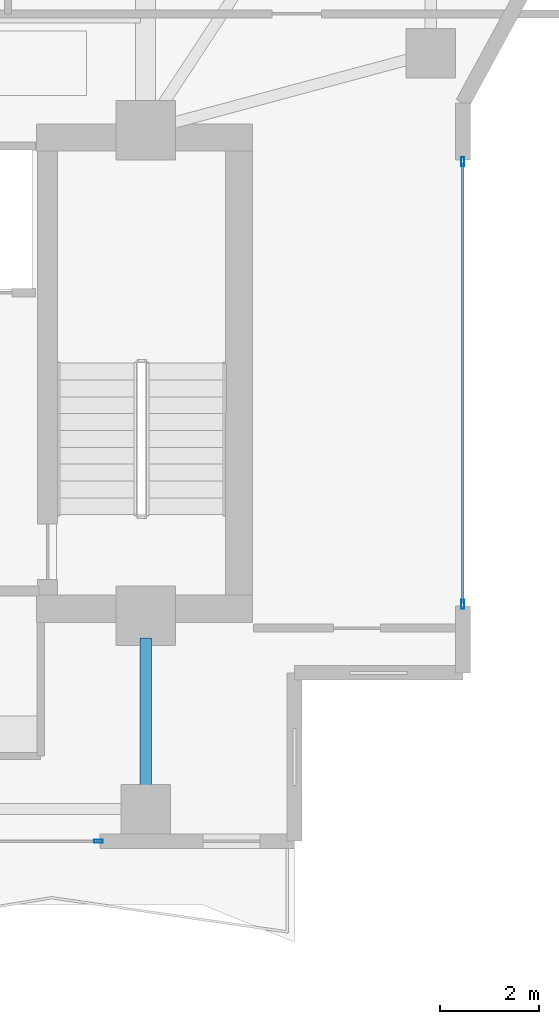
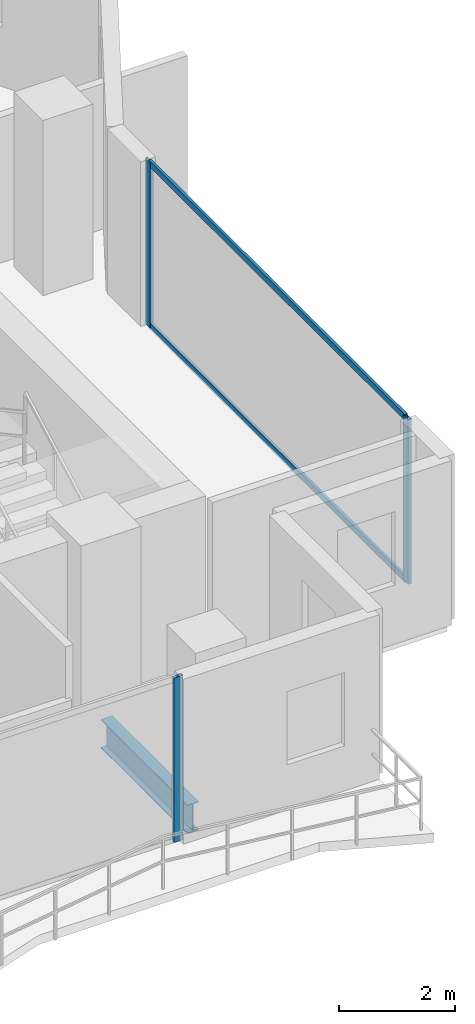
# One storey, part 8 of 23: 5 members, 1 beam, 2 elements without a shape of their own.
"""IFC4 building model written with IfcOpenShell, lengths in metres."""

from ifc_helpers import new_model, si_unit, direction, frame, origin, origin_2d, place, context, subcontext, project, spatial, hollow_rectangle, i_section, extrude, material, layer, layer_set, material_profile, profile_set, type_object, element, aggregate, save


model = new_model("IFC4")

# Units and contexts
model_context = context("Model", 3, precision=1e-05, world=origin(), true_north=direction((0.0, 1.0)))
body_context = subcontext(model_context, "Body", "Model", "MODEL_VIEW")
ifc_project = project(units=[si_unit("LENGTHUNIT", "METRE"), si_unit("AREAUNIT", "SQUARE_METRE"), si_unit("VOLUMEUNIT", "CUBIC_METRE"), si_unit("PLANEANGLEUNIT", "RADIAN"), si_unit("MASSUNIT", "GRAM", prefix="KILO")], contexts=[model_context])

# Site, building, storey
site_placement = place(None, origin())
site = spatial("IfcSite", under=ifc_project, at=site_placement, CompositionType="ELEMENT")
building_placement = place(site_placement, origin())
building = spatial("IfcBuilding", under=site, at=building_placement, Name="Zuhayl Quay Hotel", CompositionType="ELEMENT")
storey_placement = place(building_placement, frame((0.0, 0.0, 261.85009765625)))
storey = spatial("IfcBuildingStorey", under=building, at=storey_placement, Name="L66", CompositionType="ELEMENT", Elevation=261.85009765625)

# Beam
ifc_material_1 = material(Name="Steel ASTM A992 Grade 50", Category="steel")
ifc_material_profile_1 = material_profile(ifc_material_1, i_section(OverallWidth=0.22802734375, OverallDepth=0.60693359375, WebThickness=0.01123046875, FlangeThickness=0.017333984375, at=origin_2d()), Name="W24X76")
ifc_profile_set_1 = profile_set([ifc_material_profile_1], Name="Steel ASTM A992 Grade 50")
beam_type = type_object("IfcBeamType", Name="BM_B3_W24X76", PredefinedType="BEAM", material=ifc_profile_set_1)
beam_placement = place(storey_placement, frame((13.800048828125, 1.110107421875, -0.523681640625), z_axis=(0.0, 1.0, 0.0), x_axis=(-1.0, 0.0, 0.0)))
element("IfcBeam", 1, at=beam_placement, inside=storey, type_object=beam_type, Name="L66 Floor Beam FG_S_L66_4", PredefinedType="BEAM", context=body_context, shape_type="SweptSolid", body=[
    extrude(i_section(OverallWidth=0.22802734375, OverallDepth=0.60693359375, WebThickness=0.01123046875, FlangeThickness=0.017333984375, at=origin_2d()), origin(), (0.0, 0.0, 1.0), 2.989990234375),
])

# Curtain wall, members
ifc_material_2 = material(Name="Anodised Aluminium 6063-T6", Category="aluminium")
ifc_layer = layer(ifc_material_2, 0.169921875, Name="Anodised Aluminium 6063-T6", Category="aluminium")
ifc_layer_set = layer_set([ifc_layer], Name="Anodised Aluminium 6063-T6")
curtain_wall_type = type_object("IfcCurtainWallType", Name="CW_SYS_Z4", PredefinedType="USERDEFINED", material=ifc_layer_set)
curtain_wall_1_placement = place(storey_placement, origin())
curtain_wall_1 = element("IfcCurtainWall", 2, at=curtain_wall_1_placement, inside=storey, type_object=curtain_wall_type, Name="L66 Curtain Wall ENV_L66_E14_CW1", ObjectType="UNITISED CURTAIN WALL", PredefinedType="USERDEFINED")
ifc_material_3 = material(Name="Black-anodised aluminium 6063-T6", Category="aluminium")
ifc_material_profile_2 = material_profile(ifc_material_3, hollow_rectangle(XDim=0.06494140625, YDim=0.179931640625, WallThickness=0.00341796875, at=origin_2d()), Name="ALU180X65")
ifc_profile_set_2 = profile_set([ifc_material_profile_2], Name="Black-anodised aluminium 6063-T6")
member_type_1 = type_object("IfcMemberType", Name="MB_CW_MUL_180", PredefinedType="MULLION", material=ifc_profile_set_2)
member_1_placement = place(storey_placement, frame((20.199951171875, 13.717529296875, 0.0), z_axis=(0.0, 0.0, 1.0), x_axis=(1.0, 0.0, 0.0)))
member_1 = element("IfcMember", 3, at=member_1_placement, type_object=member_type_1, Name="CW-Z4 mullion 1", PredefinedType="MULLION", context=body_context, shape_type="SweptSolid", body=[
    extrude(hollow_rectangle(XDim=0.06494140625, YDim=0.179931640625, WallThickness=0.00341796875, at=origin_2d()), origin(), (0.0, 0.0, 1.0), 3.47998046875),
])
member_2_placement = place(storey_placement, frame((20.199951171875, 4.782470703125, 0.0), z_axis=(0.0, 0.0, 1.0), x_axis=(1.0, 0.0, 0.0)))
member_2 = element("IfcMember", 4, at=member_2_placement, type_object=member_type_1, Name="CW-Z4 mullion 2", PredefinedType="MULLION", context=body_context, shape_type="SweptSolid", body=[
    extrude(hollow_rectangle(XDim=0.06494140625, YDim=0.179931640625, WallThickness=0.00341796875, at=origin_2d()), origin(), (0.0, 0.0, 1.0), 3.47998046875),
])

# Curtain wall, member
curtain_wall_2_placement = place(storey_placement, origin())
curtain_wall_2 = element("IfcCurtainWall", 5, at=curtain_wall_2_placement, inside=storey, type_object=curtain_wall_type, Name="L66 Curtain Wall ENV_L66_S_CW1", ObjectType="UNITISED CURTAIN WALL", PredefinedType="USERDEFINED")
member_3_placement = place(storey_placement, frame((12.847412109375, 0.0, 0.0), z_axis=(0.0, 0.0, 1.0), x_axis=(0.0, -1.0, 0.0)))
member_3 = element("IfcMember", 6, at=member_3_placement, type_object=member_type_1, Name="CW-Z4 mullion 1", PredefinedType="MULLION", context=body_context, shape_type="SweptSolid", body=[
    extrude(hollow_rectangle(XDim=0.06494140625, YDim=0.179931640625, WallThickness=0.00341796875, at=origin_2d()), origin(), (0.0, 0.0, 1.0), 3.47998046875),
])
aggregate(curtain_wall_2, [member_3])

# Member
ifc_material_profile_3 = material_profile(ifc_material_3, hollow_rectangle(XDim=0.054931640625, YDim=0.1298828125, WallThickness=0.0029296875, at=origin_2d()), Name="ALU130X55")
ifc_profile_set_3 = profile_set([ifc_material_profile_3], Name="Black-anodised aluminium 6063-T6")
member_type_2 = type_object("IfcMemberType", Name="MB_CW_TRN_130", PredefinedType="USERDEFINED", material=ifc_profile_set_3)
member_4_placement = place(storey_placement, frame((20.199951171875, 13.68505859375, 0.02734375), z_axis=(0.0, -1.0, 0.0), x_axis=(1.0, 0.0, 0.0)))
member_4 = element("IfcMember", 7, at=member_4_placement, type_object=member_type_2, Name="CW-Z4 transom 1.1", ObjectType="TRANSOM", PredefinedType="USERDEFINED", context=body_context, shape_type="SweptSolid", body=[
    extrude(hollow_rectangle(XDim=0.054931640625, YDim=0.1298828125, WallThickness=0.0029296875, at=origin_2d()), origin(), (0.0, 0.0, 1.0), 8.8701171875),
])

member_5_placement = place(storey_placement, frame((20.199951171875, 13.68505859375, 3.452392578125), z_axis=(0.0, -1.0, 0.0), x_axis=(1.0, 0.0, 0.0)))
member_5 = element("IfcMember", 8, at=member_5_placement, type_object=member_type_2, Name="CW-Z4 transom 1.2", ObjectType="TRANSOM", PredefinedType="USERDEFINED", context=body_context, shape_type="SweptSolid", body=[
    extrude(hollow_rectangle(XDim=0.054931640625, YDim=0.1298828125, WallThickness=0.0029296875, at=origin_2d()), origin(), (0.0, 0.0, 1.0), 8.8701171875),
])

aggregate(curtain_wall_1, [member_1, member_2, member_4, member_5])

save(model, "model.ifc")
